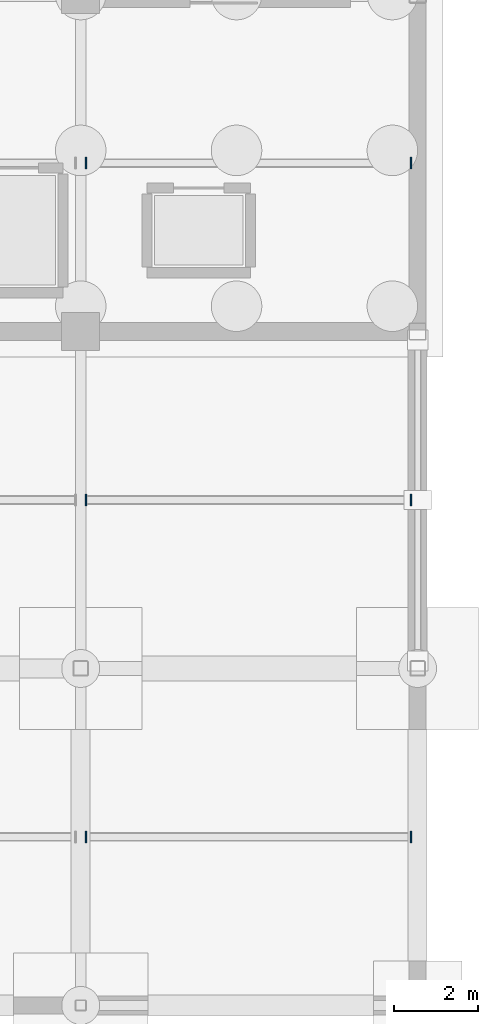
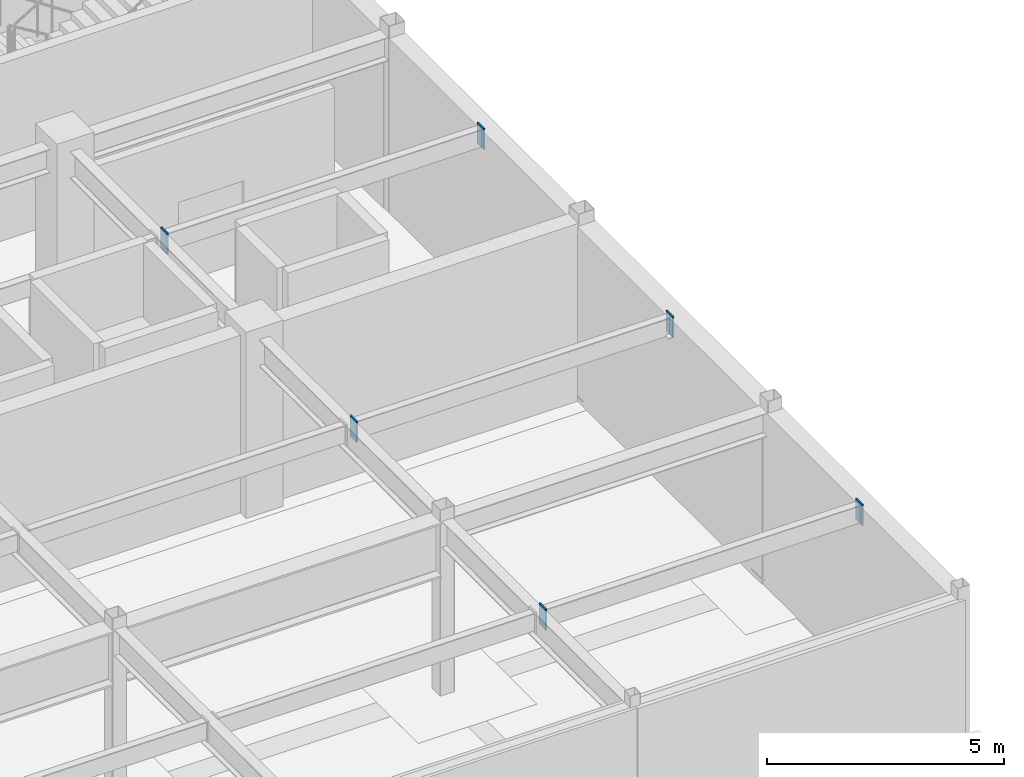
# One storey, part 94 of 105: 6 discrete accessories.
"""IFC4 building model written with IfcOpenShell, lengths in metres."""

from ifc_helpers import new_model, si_unit, direction, frame, origin, origin_2d, place, context, subcontext, project, spatial, rectangle, extrude, material, layer, layer_set, type_object, element, save


model = new_model("IFC4")

# Units and contexts
model_context = context("Model", 3, precision=1e-05, world=origin(), true_north=direction((0.0, 1.0)))
body_context = subcontext(model_context, "Body", "Model", "MODEL_VIEW")
ifc_project = project(units=[si_unit("LENGTHUNIT", "METRE"), si_unit("AREAUNIT", "SQUARE_METRE"), si_unit("VOLUMEUNIT", "CUBIC_METRE"), si_unit("PLANEANGLEUNIT", "RADIAN"), si_unit("MASSUNIT", "GRAM", prefix="KILO")], contexts=[model_context])

# Site, building, storey
site_placement = place(None, origin())
site = spatial("IfcSite", under=ifc_project, at=site_placement, CompositionType="ELEMENT")
building_placement = place(site_placement, origin())
building = spatial("IfcBuilding", under=site, at=building_placement, Name="Solmirada Galleria", CompositionType="ELEMENT")
storey_placement = place(building_placement, frame((0.0, 0.0, -4.800048828125)))
storey = spatial("IfcBuildingStorey", under=building, at=storey_placement, Name="B1", CompositionType="ELEMENT", Elevation=-4.800048828125)

# Discrete accessories
ifc_material = material(Name="Steel S355 / ASTM A572 Grade 50", Category="steel")
ifc_layer = layer(ifc_material, 0.031982421875)
ifc_layer_set = layer_set([ifc_layer], Name="Steel S355 / ASTM A572 Grade 50")
discrete_accessory_type = type_object("IfcDiscreteAccessoryType", Name="ACC-COL-CAP", PredefinedType="BRACKET", material=ifc_layer_set)
for number, where, z_axis, x_axis, name in (
    (1, (168.1279296875, 76.0, 4.00146484375), (0.0, 0.0, 1.0), (1.0, 0.0, 0.0), "Hollow joist end plate L00-22-10-L"),
    (2, (175.847412109375, 76.0, 4.00146484375), (0.0, 0.0, 1.0), (1.0, 0.0, 0.0), "Hollow joist end plate L00-22-10-R"),
    (3, (168.1279296875, 84.0, 4.00146484375), (0.0, 0.0, 1.0), (1.0, 0.0, 0.0), "Hollow joist end plate L00-22-11-L"),
    (4, (175.847412109375, 84.0, 4.00146484375), (0.0, 0.0, 1.0), (1.0, 0.0, 0.0), "Hollow joist end plate L00-22-11-R"),
    (5, (168.1279296875, 92.0, 4.00146484375), (0.0, 0.0, 1.0), (1.0, 0.0, 0.0), "Hollow joist end plate L00-22-12-L"),
    (6, (175.847412109375, 92.0, 4.00146484375), (0.0, 0.0, 1.0), (1.0, 0.0, 0.0), "Hollow joist end plate L00-22-12-R"),
):
    element("IfcDiscreteAccessory", number, at=place(storey_placement, frame(where, z_axis=z_axis, x_axis=x_axis)), inside=storey, type_object=discrete_accessory_type, Name=name, PredefinedType="BRACKET", context=body_context, shape_type="SweptSolid", body=[
        extrude(rectangle(XDim=0.035888671875, YDim=0.280029296875, at=origin_2d()), origin(), (0.0, 0.0, 1.0), 0.5400390625),
    ])

save(model, "model.ifc")
